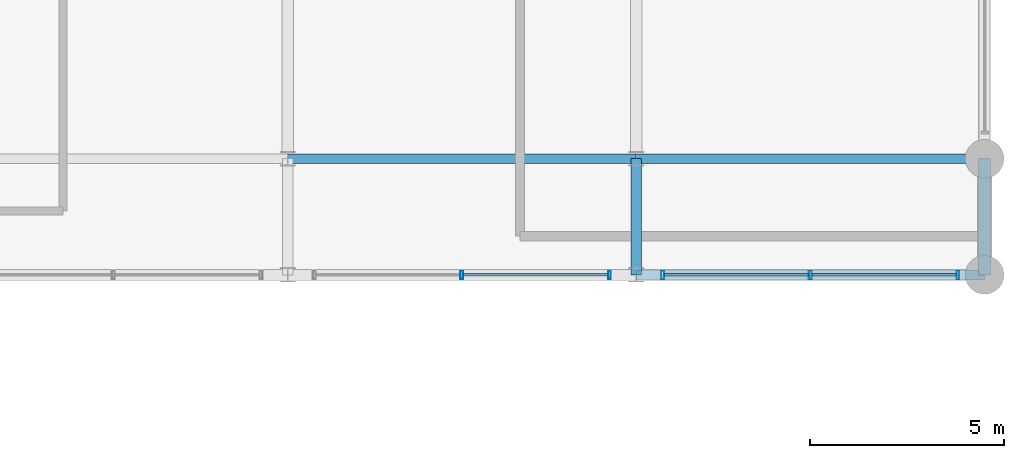
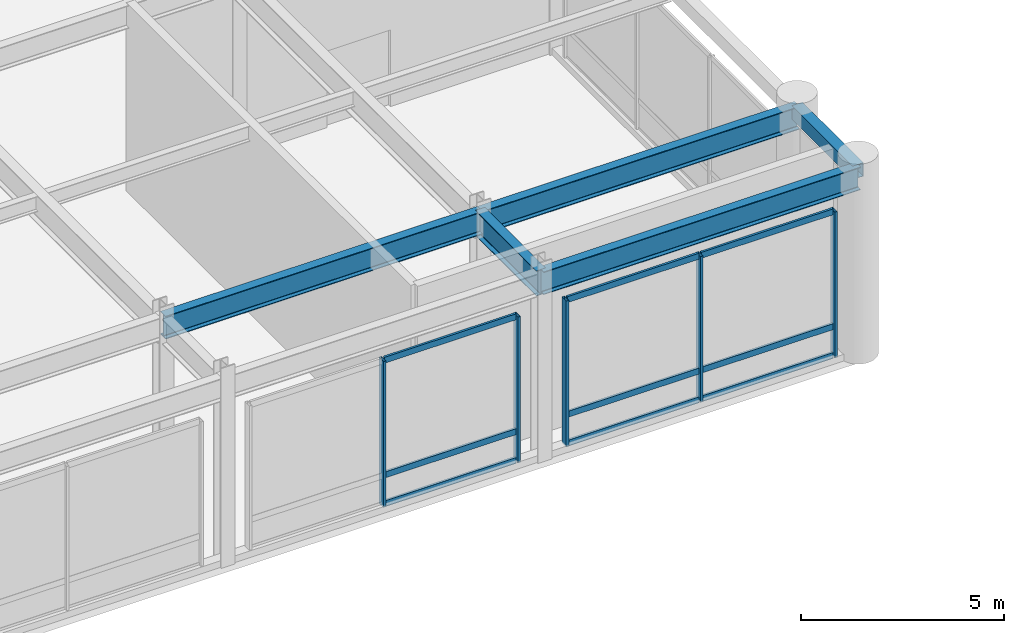
# One storey, part 72 of 108: 14 members, 5 beams, 2 elements without a shape of their own.
"""IFC4 building model written with IfcOpenShell, lengths in metres."""

from ifc_helpers import new_model, si_unit, direction, frame, origin, origin_2d, place, context, subcontext, project, spatial, hollow_rectangle, i_section, extrude, material, material_profile, profile_set, type_object, element, aggregate, save


model = new_model("IFC4")

# Units and contexts
model_context = context("Model", 3, precision=1e-05, world=origin(), true_north=direction((0.0, 1.0)))
body_context = subcontext(model_context, "Body", "Model", "MODEL_VIEW")
ifc_project = project(units=[si_unit("LENGTHUNIT", "METRE"), si_unit("AREAUNIT", "SQUARE_METRE"), si_unit("VOLUMEUNIT", "CUBIC_METRE"), si_unit("PLANEANGLEUNIT", "RADIAN"), si_unit("MASSUNIT", "GRAM", prefix="KILO")], contexts=[model_context])

# Site, building, storey
site_placement = place(None, origin())
site = spatial("IfcSite", under=ifc_project, at=site_placement, CompositionType="ELEMENT")
building_placement = place(site_placement, origin())
building = spatial("IfcBuilding", under=site, at=building_placement, Name="Kaldorvane Square Convention Centre", CompositionType="ELEMENT")
storey_placement = place(building_placement, frame((0.0, 0.0, 12.0)))
storey = spatial("IfcBuildingStorey", under=building, at=storey_placement, Name="L02", CompositionType="ELEMENT", Elevation=12.0)

# Beams
ifc_material_1 = material(Name="Steel ASTM A992 Gr. 50", Category="steel")
ifc_material_profile_1 = material_profile(ifc_material_1, i_section(OverallWidth=0.25439453125, OverallDepth=0.6880950927734375, WebThickness=0.0131072998046875, FlangeThickness=0.0211029052734375, FilletRadius=0.01519775390625, at=origin_2d()), Name="W27X102")
ifc_profile_set_1 = profile_set([ifc_material_profile_1], Name="Steel ASTM A992 Gr. 50")
beam_type_1 = type_object("IfcBeamType", Name="BM-GR-W27X102", PredefinedType="BEAM", material=ifc_profile_set_1)
for number, where, z_axis, x_axis, name in (
    (1, (165.0, 81.0, 5.3018951416015625), (1.0, 0.0, 0.0), (0.0, 1.0, 0.0), "Primary Girder (L02)"),
    (2, (156.0, 84.0, 5.3018951416015625), (1.0, 0.0, 0.0), (0.0, 1.0, 0.0), "Primary Girder (L02)"),
    (3, (165.0, 84.0, 5.3018951416015625), (1.0, 0.0, 0.0), (0.0, 1.0, 0.0), "Primary Girder (L02)"),
):
    element("IfcBeam", number, at=place(storey_placement, frame(where, z_axis=z_axis, x_axis=x_axis)), inside=storey, type_object=beam_type_1, Name=name, PredefinedType="BEAM", context=body_context, shape_type="SweptSolid", body=[
        extrude(i_section(OverallWidth=0.25439453125, OverallDepth=0.6880950927734375, WebThickness=0.0131072998046875, FlangeThickness=0.0211029052734375, FilletRadius=0.01519775390625, at=origin_2d()), origin(), (0.0, 0.0, 1.0), 9.0),
    ])
ifc_material_profile_2 = material_profile(ifc_material_1, i_section(OverallWidth=0.2666015625, OverallDepth=0.762298583984375, WebThickness=0.014404296875, FlangeThickness=0.0216064453125, FilletRadius=0.0164947509765625, at=origin_2d()), Name="W30X116")
ifc_profile_set_2 = profile_set([ifc_material_profile_2], Name="Steel ASTM A992 Gr. 50")
beam_type_2 = type_object("IfcBeamType", Name="BM-GR-W30X116", PredefinedType="BEAM", material=ifc_profile_set_2)
beam_1_placement = place(storey_placement, frame((165.0, 81.0, 5.264801025390625), z_axis=(0.0, 1.0, 0.0), x_axis=(-1.0, 0.0, 0.0)))
element("IfcBeam", 4, at=beam_1_placement, inside=storey, type_object=beam_type_2, Name="Transverse Girder (L02)", PredefinedType="BEAM", context=body_context, shape_type="SweptSolid", body=[
    extrude(i_section(OverallWidth=0.2666015625, OverallDepth=0.762298583984375, WebThickness=0.014404296875, FlangeThickness=0.0216064453125, FilletRadius=0.0164947509765625, at=origin_2d()), origin(), (0.0, 0.0, 1.0), 3.0),
])
ifc_material_2 = material(Name="Steel ASTM A500 Gr. C", Category="steel")
ifc_material_profile_3 = material_profile(ifc_material_2, hollow_rectangle(XDim=0.3047943115234375, YDim=0.406402587890625, WallThickness=0.0117950439453125, at=origin_2d()), Name="HSS16X12X1/2")
ifc_profile_set_3 = profile_set([ifc_material_profile_3], Name="Steel ASTM A500 Gr. C")
beam_type_3 = type_object("IfcBeamType", Name="BM-SP-HSS16", PredefinedType="SPANDREL", material=ifc_profile_set_3)
beam_2_placement = place(storey_placement, frame((174.0, 81.0, 5.4427947998046875), z_axis=(0.0, 1.0, 0.0), x_axis=(-1.0, 0.0, 0.0)))
element("IfcBeam", 5, at=beam_2_placement, inside=storey, type_object=beam_type_3, Name="End Spandrel (L02)", PredefinedType="SPANDREL", context=body_context, shape_type="SweptSolid", body=[
    extrude(hollow_rectangle(XDim=0.3047943115234375, YDim=0.406402587890625, WallThickness=0.0117950439453125, at=origin_2d()), origin(), (0.0, 0.0, 1.0), 3.0),
])

# Curtain wall, members
ifc_material_3 = material(Name="Anodized Aluminum and Low-E Insulated Glazing", Category="aluminium")
curtain_wall_type = type_object("IfcCurtainWallType", Name="CW-PTS-FC-60", PredefinedType="USERDEFINED", material=ifc_material_3)
curtain_wall_1_placement = place(storey_placement, origin())
curtain_wall_1 = element("IfcCurtainWall", 6, at=curtain_wall_1_placement, inside=storey, type_object=curtain_wall_type, Name="Curtain Wall CW-07 (L02)", ObjectType="POINT SUPPORTED GLAZING", PredefinedType="USERDEFINED")
ifc_material_profile_4 = material_profile(ifc_material_3, hollow_rectangle(XDim=0.0749969482421875, YDim=0.220001220703125, WallThickness=0.003997802734375, at=origin_2d()), Name="CWM-220X75")
ifc_profile_set_4 = profile_set([ifc_material_profile_4], Name="Anodized Aluminum and Low-E Insulated Glazing")
member_type_1 = type_object("IfcMemberType", Name="CW-MUL-220", PredefinedType="MULLION", material=ifc_profile_set_4)
member_1_placement = place(storey_placement, frame((160.5, 81.0, 0.149993896484375), z_axis=(0.0, 0.0, 1.0), x_axis=(1.0, 0.0, 0.0)))
member_1 = element("IfcMember", 7, at=member_1_placement, type_object=member_type_1, Name="CW-07 mullion 2", PredefinedType="MULLION", context=body_context, shape_type="SweptSolid", body=[
    extrude(hollow_rectangle(XDim=0.0749969482421875, YDim=0.220001220703125, WallThickness=0.003997802734375, at=origin_2d()), origin(), (0.0, 0.0, 1.0), 4.3800048828125),
])
member_2_placement = place(storey_placement, frame((164.3125, 81.0, 0.149993896484375), z_axis=(0.0, 0.0, 1.0), x_axis=(1.0, 0.0, 0.0)))
member_2 = element("IfcMember", 8, at=member_2_placement, type_object=member_type_1, Name="CW-07 mullion 3", PredefinedType="MULLION", context=body_context, shape_type="SweptSolid", body=[
    extrude(hollow_rectangle(XDim=0.0749969482421875, YDim=0.220001220703125, WallThickness=0.003997802734375, at=origin_2d()), origin(), (0.0, 0.0, 1.0), 4.3800048828125),
])

curtain_wall_2_placement = place(storey_placement, origin())
curtain_wall_2 = element("IfcCurtainWall", 9, at=curtain_wall_2_placement, inside=storey, type_object=curtain_wall_type, Name="Curtain Wall CW-07 (L02)", ObjectType="POINT SUPPORTED GLAZING", PredefinedType="USERDEFINED")
member_3_placement = place(storey_placement, frame((165.6875, 81.0, 0.149993896484375), z_axis=(0.0, 0.0, 1.0), x_axis=(1.0, 0.0, 0.0)))
member_3 = element("IfcMember", 10, at=member_3_placement, type_object=member_type_1, Name="CW-07 mullion 1", PredefinedType="MULLION", context=body_context, shape_type="SweptSolid", body=[
    extrude(hollow_rectangle(XDim=0.0749969482421875, YDim=0.220001220703125, WallThickness=0.003997802734375, at=origin_2d()), origin(), (0.0, 0.0, 1.0), 4.3800048828125),
])
member_4_placement = place(storey_placement, frame((169.5, 81.0, 0.149993896484375), z_axis=(0.0, 0.0, 1.0), x_axis=(1.0, 0.0, 0.0)))
member_4 = element("IfcMember", 11, at=member_4_placement, type_object=member_type_1, Name="CW-07 mullion 2", PredefinedType="MULLION", context=body_context, shape_type="SweptSolid", body=[
    extrude(hollow_rectangle(XDim=0.0749969482421875, YDim=0.220001220703125, WallThickness=0.003997802734375, at=origin_2d()), origin(), (0.0, 0.0, 1.0), 4.3800048828125),
])
member_5_placement = place(storey_placement, frame((173.3125, 81.0, 0.149993896484375), z_axis=(0.0, 0.0, 1.0), x_axis=(1.0, 0.0, 0.0)))
member_5 = element("IfcMember", 12, at=member_5_placement, type_object=member_type_1, Name="CW-07 mullion 3", PredefinedType="MULLION", context=body_context, shape_type="SweptSolid", body=[
    extrude(hollow_rectangle(XDim=0.0749969482421875, YDim=0.220001220703125, WallThickness=0.003997802734375, at=origin_2d()), origin(), (0.0, 0.0, 1.0), 4.3800048828125),
])

# Member
ifc_material_profile_5 = material_profile(ifc_material_3, hollow_rectangle(XDim=0.06500244140625, YDim=0.17999267578125, WallThickness=0.0034942626953125, at=origin_2d()), Name="CWT-180X65")
ifc_profile_set_5 = profile_set([ifc_material_profile_5], Name="Anodized Aluminum and Low-E Insulated Glazing")
member_type_2 = type_object("IfcMemberType", Name="CW-TRN-180", PredefinedType="USERDEFINED", material=ifc_profile_set_5)
member_6_placement = place(storey_placement, frame((160.53750610351562, 81.0, 0.1824951171875), z_axis=(1.0, 0.0, 0.0), x_axis=(0.0, 1.0, 0.0)))
member_6 = element("IfcMember", 13, at=member_6_placement, type_object=member_type_2, Name="CW-07 transom 2.1", ObjectType="TRANSOM", PredefinedType="USERDEFINED", context=body_context, shape_type="SweptSolid", body=[
    extrude(hollow_rectangle(XDim=0.06500244140625, YDim=0.17999267578125, WallThickness=0.0034942626953125, at=origin_2d()), origin(), (0.0, 0.0, 1.0), 3.73748779296875),
])

member_7_placement = place(storey_placement, frame((160.53750610351562, 81.0, 1.0500030517578125), z_axis=(1.0, 0.0, 0.0), x_axis=(0.0, 1.0, 0.0)))
member_7 = element("IfcMember", 14, at=member_7_placement, type_object=member_type_2, Name="CW-07 transom 2.2", ObjectType="TRANSOM", PredefinedType="USERDEFINED", context=body_context, shape_type="SweptSolid", body=[
    extrude(hollow_rectangle(XDim=0.06500244140625, YDim=0.17999267578125, WallThickness=0.0034942626953125, at=origin_2d()), origin(), (0.0, 0.0, 1.0), 3.73748779296875),
])

member_8_placement = place(storey_placement, frame((160.53750610351562, 81.0, 4.49749755859375), z_axis=(1.0, 0.0, 0.0), x_axis=(0.0, 1.0, 0.0)))
member_8 = element("IfcMember", 15, at=member_8_placement, type_object=member_type_2, Name="CW-07 transom 2.3", ObjectType="TRANSOM", PredefinedType="USERDEFINED", context=body_context, shape_type="SweptSolid", body=[
    extrude(hollow_rectangle(XDim=0.06500244140625, YDim=0.17999267578125, WallThickness=0.0034942626953125, at=origin_2d()), origin(), (0.0, 0.0, 1.0), 3.73748779296875),
])

aggregate(curtain_wall_1, [member_1, member_2, member_6, member_7, member_8])

member_9_placement = place(storey_placement, frame((165.72500610351562, 81.0, 0.1824951171875), z_axis=(1.0, 0.0, 0.0), x_axis=(0.0, 1.0, 0.0)))
member_9 = element("IfcMember", 16, at=member_9_placement, type_object=member_type_2, Name="CW-07 transom 1.1", ObjectType="TRANSOM", PredefinedType="USERDEFINED", context=body_context, shape_type="SweptSolid", body=[
    extrude(hollow_rectangle(XDim=0.06500244140625, YDim=0.17999267578125, WallThickness=0.0034942626953125, at=origin_2d()), origin(), (0.0, 0.0, 1.0), 3.73748779296875),
])

member_10_placement = place(storey_placement, frame((165.72500610351562, 81.0, 1.0500030517578125), z_axis=(1.0, 0.0, 0.0), x_axis=(0.0, 1.0, 0.0)))
member_10 = element("IfcMember", 17, at=member_10_placement, type_object=member_type_2, Name="CW-07 transom 1.2", ObjectType="TRANSOM", PredefinedType="USERDEFINED", context=body_context, shape_type="SweptSolid", body=[
    extrude(hollow_rectangle(XDim=0.06500244140625, YDim=0.17999267578125, WallThickness=0.0034942626953125, at=origin_2d()), origin(), (0.0, 0.0, 1.0), 3.73748779296875),
])

member_11_placement = place(storey_placement, frame((165.72500610351562, 81.0, 4.49749755859375), z_axis=(1.0, 0.0, 0.0), x_axis=(0.0, 1.0, 0.0)))
member_11 = element("IfcMember", 18, at=member_11_placement, type_object=member_type_2, Name="CW-07 transom 1.3", ObjectType="TRANSOM", PredefinedType="USERDEFINED", context=body_context, shape_type="SweptSolid", body=[
    extrude(hollow_rectangle(XDim=0.06500244140625, YDim=0.17999267578125, WallThickness=0.0034942626953125, at=origin_2d()), origin(), (0.0, 0.0, 1.0), 3.73748779296875),
])

member_12_placement = place(storey_placement, frame((169.53750610351562, 81.0, 0.1824951171875), z_axis=(1.0, 0.0, 0.0), x_axis=(0.0, 1.0, 0.0)))
member_12 = element("IfcMember", 19, at=member_12_placement, type_object=member_type_2, Name="CW-07 transom 2.1", ObjectType="TRANSOM", PredefinedType="USERDEFINED", context=body_context, shape_type="SweptSolid", body=[
    extrude(hollow_rectangle(XDim=0.06500244140625, YDim=0.17999267578125, WallThickness=0.0034942626953125, at=origin_2d()), origin(), (0.0, 0.0, 1.0), 3.73748779296875),
])

member_13_placement = place(storey_placement, frame((169.53750610351562, 81.0, 1.0500030517578125), z_axis=(1.0, 0.0, 0.0), x_axis=(0.0, 1.0, 0.0)))
member_13 = element("IfcMember", 20, at=member_13_placement, type_object=member_type_2, Name="CW-07 transom 2.2", ObjectType="TRANSOM", PredefinedType="USERDEFINED", context=body_context, shape_type="SweptSolid", body=[
    extrude(hollow_rectangle(XDim=0.06500244140625, YDim=0.17999267578125, WallThickness=0.0034942626953125, at=origin_2d()), origin(), (0.0, 0.0, 1.0), 3.73748779296875),
])

member_14_placement = place(storey_placement, frame((169.53750610351562, 81.0, 4.49749755859375), z_axis=(1.0, 0.0, 0.0), x_axis=(0.0, 1.0, 0.0)))
member_14 = element("IfcMember", 21, at=member_14_placement, type_object=member_type_2, Name="CW-07 transom 2.3", ObjectType="TRANSOM", PredefinedType="USERDEFINED", context=body_context, shape_type="SweptSolid", body=[
    extrude(hollow_rectangle(XDim=0.06500244140625, YDim=0.17999267578125, WallThickness=0.0034942626953125, at=origin_2d()), origin(), (0.0, 0.0, 1.0), 3.73748779296875),
])

aggregate(curtain_wall_2, [member_3, member_4, member_5, member_9, member_10, member_11, member_12, member_13, member_14])

save(model, "model.ifc")
